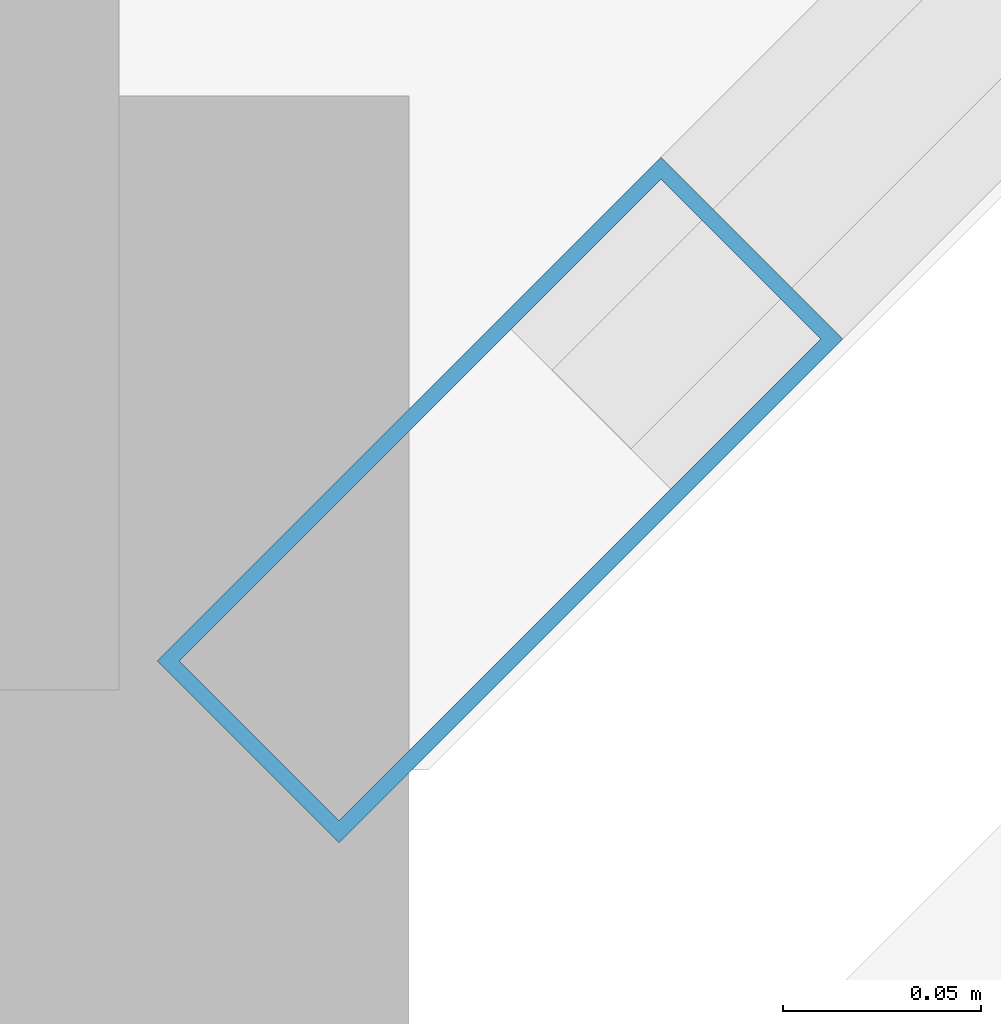
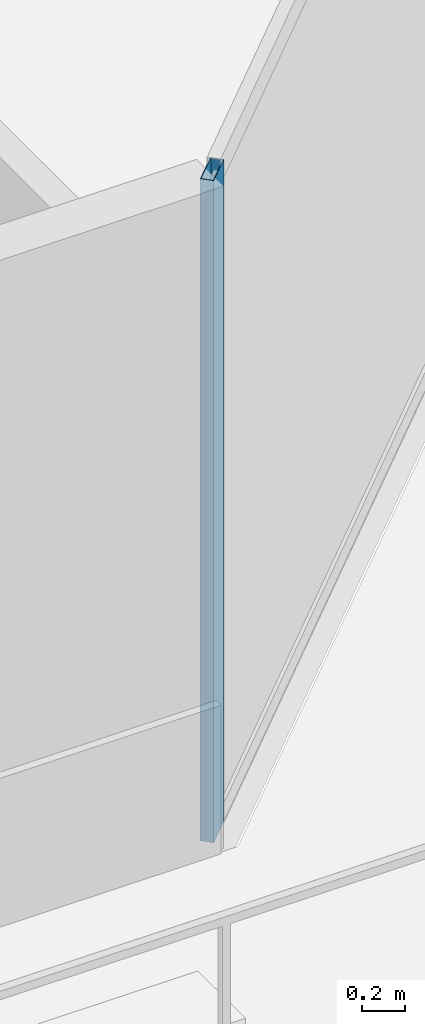
# One storey, part 20 of 38: 1 member, 1 element without a shape of its own.
"""IFC4 building model written with IfcOpenShell, lengths in metres."""

from ifc_helpers import new_model, si_unit, direction, frame, origin, origin_2d, place, context, subcontext, project, spatial, hollow_rectangle, extrude, material, layer, layer_set, material_profile, profile_set, type_object, element, aggregate, save


model = new_model("IFC4")

# Units and contexts
model_context = context("Model", 3, precision=1e-05, world=origin(), true_north=direction((0.0, 1.0)))
body_context = subcontext(model_context, "Body", "Model", "MODEL_VIEW")
ifc_project = project(units=[si_unit("LENGTHUNIT", "METRE"), si_unit("AREAUNIT", "SQUARE_METRE"), si_unit("VOLUMEUNIT", "CUBIC_METRE"), si_unit("PLANEANGLEUNIT", "RADIAN"), si_unit("MASSUNIT", "GRAM", prefix="KILO")], contexts=[model_context])

# Site, building, storey
site_placement = place(None, origin())
site = spatial("IfcSite", under=ifc_project, at=site_placement, CompositionType="ELEMENT")
building_placement = place(site_placement, origin())
building = spatial("IfcBuilding", under=site, at=building_placement, Name="Tanjung Sevakor Pilgrim Tower", CompositionType="ELEMENT")
storey_placement = place(building_placement, frame((0.0, 0.0, 78.2099609375)))
storey = spatial("IfcBuildingStorey", under=building, at=storey_placement, Name="L21", CompositionType="ELEMENT", Elevation=78.2099609375)

# Curtain wall, member
ifc_material_1 = material(Name="Aluminium 6063-T6 and Low-E Glass", Category="aluminium")
ifc_layer = layer(ifc_material_1, 0.179931640625)
ifc_layer_set = layer_set([ifc_layer], Name="CW-SYS-CHAM")
curtain_wall_type = type_object("IfcCurtainWallType", Name="CW-SYS-CHAM", PredefinedType="NOTDEFINED", material=ifc_layer_set)
curtain_wall_placement = place(storey_placement, origin())
curtain_wall = element("IfcCurtainWall", 1, at=curtain_wall_placement, inside=storey, type_object=curtain_wall_type, Name="L21 Curtain Wall CW-CHM-L21-MAIN-5", PredefinedType="NOTDEFINED")
ifc_material_2 = material(Name="Aluminium 6063-T6", Category="aluminium")
ifc_material_profile = material_profile(ifc_material_2, hollow_rectangle(XDim=0.06494140625, YDim=0.179931640625, WallThickness=0.00390625, at=origin_2d()))
ifc_profile_set = profile_set([ifc_material_profile], Name="Aluminium 6063-T6")
member_type = type_object("IfcMemberType", Name="TYPE-CWM-1", PredefinedType="MULLION", material=ifc_profile_set)
member_placement = place(storey_placement, frame((96.171142578125, 9.748046875, 0.0), z_axis=(0.0, 0.0, 1.0), x_axis=(-0.707106781187, 0.707106781187, 0.0)))
member = element("IfcMember", 2, at=member_placement, type_object=member_type, Name="CW-CHM mullion 1", PredefinedType="MULLION", context=body_context, shape_type="SweptSolid", body=[
    extrude(hollow_rectangle(XDim=0.06494140625, YDim=0.179931640625, WallThickness=0.00390625, at=origin_2d()), origin(), (0.0, 0.0, 1.0), 3.739990234375),
])
aggregate(curtain_wall, [member])

save(model, "model.ifc")
